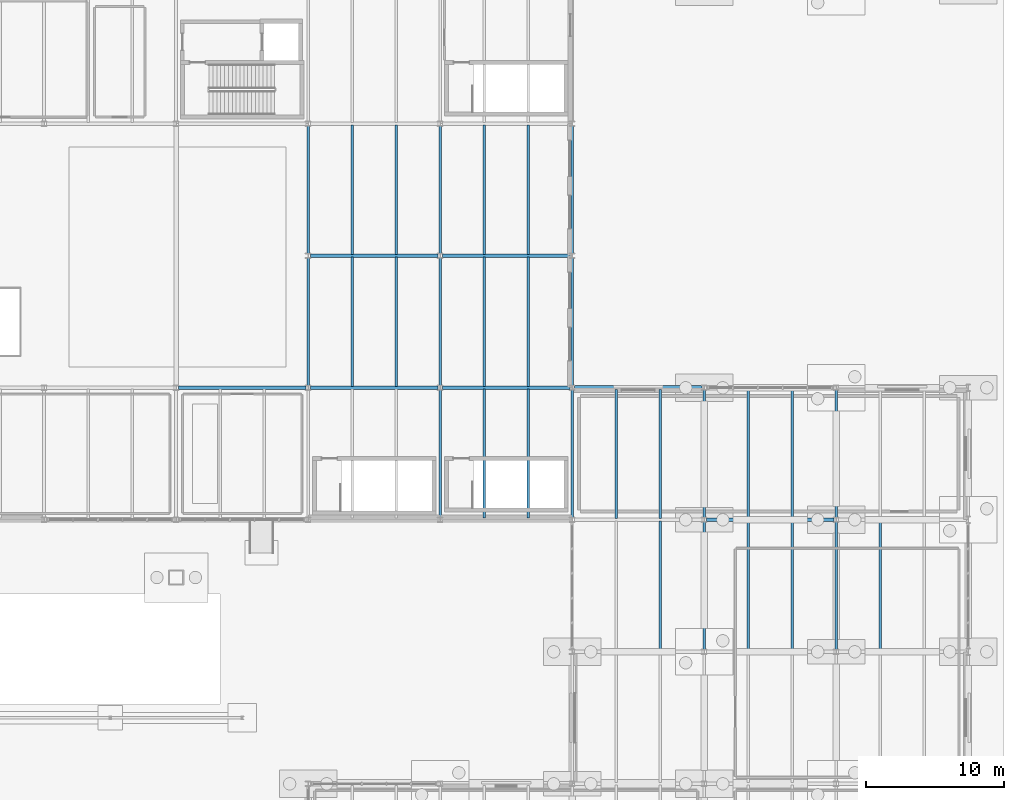
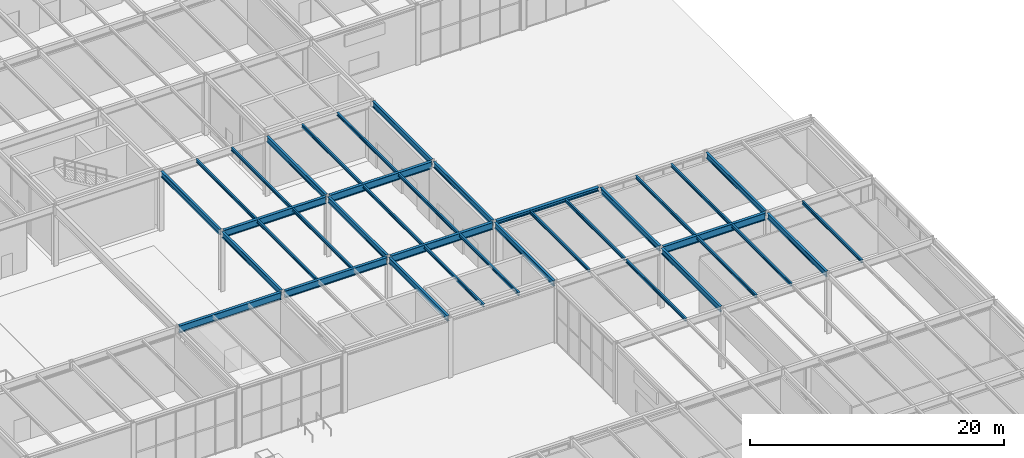
# One storey, part 90 of 142: 37 beams.
"""IFC4 building model written with IfcOpenShell, lengths in metres."""

from ifc_helpers import new_model, si_unit, direction, frame, origin, origin_2d, place, context, subcontext, project, spatial, i_section, extrude, material, material_profile, profile_set, type_object, element, save


model = new_model("IFC4")

# Units and contexts
model_context = context("Model", 3, precision=1e-05, world=origin(), true_north=direction((0.0, 1.0)))
body_context = subcontext(model_context, "Body", "Model", "MODEL_VIEW")
ifc_project = project(units=[si_unit("LENGTHUNIT", "METRE"), si_unit("AREAUNIT", "SQUARE_METRE"), si_unit("VOLUMEUNIT", "CUBIC_METRE"), si_unit("PLANEANGLEUNIT", "RADIAN"), si_unit("MASSUNIT", "GRAM", prefix="KILO")], contexts=[model_context])

# Site, building, storey
site_placement = place(None, origin())
site = spatial("IfcSite", under=ifc_project, at=site_placement, CompositionType="ELEMENT")
building_placement = place(site_placement, origin())
building = spatial("IfcBuilding", under=site, at=building_placement, Name="Coralgate Yard Interchange", CompositionType="ELEMENT")
storey_placement = place(building_placement, origin())
storey = spatial("IfcBuildingStorey", under=building, at=storey_placement, Name="L00", CompositionType="ELEMENT", Elevation=0.0)

# Beams
ifc_material = material(Name="Structural steel S355J2", Category="steel")
ifc_material_profile_1 = material_profile(ifc_material, i_section(OverallWidth=0.209228515625, OverallDepth=0.533203125, WebThickness=0.010009765625, FlangeThickness=0.015625, FilletRadius=0.0126953125, at=origin_2d()), Name="UB 533x210x92")
ifc_profile_set_1 = profile_set([ifc_material_profile_1], Name="Structural steel S355J2")
beam_type_1 = type_object("IfcBeamType", Name="BM-SB-1", PredefinedType="BEAM", material=ifc_profile_set_1)
for number, where, z_axis, x_axis, name in (
    (1, (134.39990234375, 48.166748046875, 5.4833984375), (0.0, 1.0, 0.0), (-1.0, 0.0, 0.0), "L00 primary grid girder X14 Y5-6"),
    (2, (134.39990234375, 57.766845703125, 5.4833984375), (0.0, 1.0, 0.0), (-1.0, 0.0, 0.0), "L00 primary grid girder X14 Y6-7"),
    (3, (144.0, 38.56689453125, 5.4833984375), (0.0, 1.0, 0.0), (-1.0, 0.0, 0.0), "L00 primary grid girder X15 Y4-5"),
    (4, (144.0, 48.166748046875, 5.4833984375), (0.0, 1.0, 0.0), (-1.0, 0.0, 0.0), "L00 primary grid girder X15 Y5-6"),
    (5, (144.0, 57.766845703125, 5.4833984375), (0.0, 1.0, 0.0), (-1.0, 0.0, 0.0), "L00 primary grid girder X15 Y6-7"),
    (6, (153.60009765625, 38.56689453125, 5.4833984375), (0.0, 1.0, 0.0), (-1.0, 0.0, 0.0), "L00 primary grid girder X16 Y4-5"),
    (7, (153.60009765625, 48.166748046875, 5.4833984375), (0.0, 1.0, 0.0), (-1.0, 0.0, 0.0), "L00 primary grid girder X16 Y5-6"),
    (8, (153.60009765625, 57.766845703125, 5.4833984375), (0.0, 1.0, 0.0), (-1.0, 0.0, 0.0), "L00 primary grid girder X16 Y6-7"),
    (9, (163.199951171875, 28.966796875, 5.4833984375), (0.0, 1.0, 0.0), (-1.0, 0.0, 0.0), "L00 primary grid girder X17 Y3-4"),
    (10, (163.199951171875, 38.56689453125, 5.4833984375), (0.0, 1.0, 0.0), (-1.0, 0.0, 0.0), "L00 primary grid girder X17 Y4-5"),
    (11, (172.800048828125, 28.966796875, 5.4833984375), (0.0, 1.0, 0.0), (-1.0, 0.0, 0.0), "L00 primary grid girder X18 Y3-4"),
    (12, (172.800048828125, 38.56689453125, 5.4833984375), (0.0, 1.0, 0.0), (-1.0, 0.0, 0.0), "L00 primary grid girder X18 Y4-5"),
):
    element("IfcBeam", number, at=place(storey_placement, frame(where, z_axis=z_axis, x_axis=x_axis)), inside=storey, type_object=beam_type_1, Name=name, PredefinedType="BEAM", context=body_context, shape_type="SweptSolid", body=[
        extrude(i_section(OverallWidth=0.209228515625, OverallDepth=0.533203125, WebThickness=0.010009765625, FlangeThickness=0.015625, FilletRadius=0.0126953125, at=origin_2d()), origin(), (0.0, 0.0, 1.0), 9.266357421875),
    ])
ifc_material_profile_2 = material_profile(ifc_material, i_section(OverallWidth=0.253662109375, OverallDepth=0.68359375, WebThickness=0.012451171875, FlangeThickness=0.01904296875, FilletRadius=0.01513671875, at=origin_2d()), Name="UB 686x254x140")
ifc_profile_set_2 = profile_set([ifc_material_profile_2], Name="Structural steel S355J2")
beam_type_2 = type_object("IfcBeamType", Name="BM-SG-4", PredefinedType="BEAM", material=ifc_profile_set_2)
beam_1_placement = place(storey_placement, frame((163.369384765625, 38.39990234375, 5.408203125), z_axis=(1.0, 0.0, 0.0), x_axis=(0.0, 1.0, 0.0)))
element("IfcBeam", 13, at=beam_1_placement, inside=storey, type_object=beam_type_2, Name="L00 primary grid beam Y4 X17-18", PredefinedType="BEAM", context=body_context, shape_type="SweptSolid", body=[
    extrude(i_section(OverallWidth=0.253662109375, OverallDepth=0.68359375, WebThickness=0.012451171875, FlangeThickness=0.01904296875, FilletRadius=0.01513671875, at=origin_2d()), origin(), (0.0, 0.0, 1.0), 9.26123046875),
])
for number, where, z_axis, x_axis, name in (
    (14, (124.969482421875, 48.0, 5.408203125), (1.0, 0.0, 0.0), (0.0, 1.0, 0.0), "L00 primary grid beam Y5 X13-14"),
    (15, (134.569580078125, 48.0, 5.408203125), (1.0, 0.0, 0.0), (0.0, 1.0, 0.0), "L00 primary grid beam Y5 X14-15"),
    (16, (144.16943359375, 48.0, 5.408203125), (1.0, 0.0, 0.0), (0.0, 1.0, 0.0), "L00 primary grid beam Y5 X15-16"),
    (17, (134.569580078125, 57.60009765625, 5.408203125), (1.0, 0.0, 0.0), (0.0, 1.0, 0.0), "L00 primary grid beam Y6 X14-15"),
    (18, (144.16943359375, 57.60009765625, 5.408203125), (1.0, 0.0, 0.0), (0.0, 1.0, 0.0), "L00 primary grid beam Y6 X15-16"),
):
    element("IfcBeam", number, at=place(storey_placement, frame(where, z_axis=z_axis, x_axis=x_axis)), inside=storey, type_object=beam_type_2, Name=name, PredefinedType="BEAM", context=body_context, shape_type="SweptSolid", body=[
        extrude(i_section(OverallWidth=0.253662109375, OverallDepth=0.68359375, WebThickness=0.012451171875, FlangeThickness=0.01904296875, FilletRadius=0.01513671875, at=origin_2d()), origin(), (0.0, 0.0, 1.0), 9.260986328125),
    ])
ifc_material_profile_3 = material_profile(ifc_material, i_section(OverallWidth=0.1650390625, OverallDepth=0.303466796875, WebThickness=0.006103515625, FlangeThickness=0.01025390625, FilletRadius=0.0087890625, at=origin_2d()), Name="UB 305x165x40")
ifc_profile_set_3 = profile_set([ifc_material_profile_3], Name="Structural steel S355J2")
beam_type_3 = type_object("IfcBeamType", Name="BM-SJ-1", PredefinedType="JOIST", material=ifc_profile_set_3)
for number, where, z_axis, x_axis, name in (
    (19, (137.60009765625, 48.096923828125, 5.598388671875), (0.0, 1.0, 0.0), (-1.0, 0.0, 0.0), "L00 composite floor joist 14-5-1"),
    (20, (140.800048828125, 48.096923828125, 5.598388671875), (0.0, 1.0, 0.0), (-1.0, 0.0, 0.0), "L00 composite floor joist 14-5-2"),
    (21, (137.60009765625, 57.69677734375, 5.598388671875), (0.0, 1.0, 0.0), (-1.0, 0.0, 0.0), "L00 composite floor joist 14-6-1"),
    (22, (140.800048828125, 57.69677734375, 5.598388671875), (0.0, 1.0, 0.0), (-1.0, 0.0, 0.0), "L00 composite floor joist 14-6-2"),
):
    element("IfcBeam", number, at=place(storey_placement, frame(where, z_axis=z_axis, x_axis=x_axis)), inside=storey, type_object=beam_type_3, Name=name, PredefinedType="JOIST", context=body_context, shape_type="SweptSolid", body=[
        extrude(i_section(OverallWidth=0.1650390625, OverallDepth=0.303466796875, WebThickness=0.006103515625, FlangeThickness=0.01025390625, FilletRadius=0.0087890625, at=origin_2d()), origin(), (0.0, 0.0, 1.0), 9.40625),
    ])
for number, where, z_axis, x_axis, name in (
    (23, (147.199951171875, 38.52001953125, 5.598388671875), (0.0, 1.0, 0.0), (-1.0, 0.0, 0.0), "L00 composite floor joist 15-4-1"),
    (24, (150.39990234375, 38.52001953125, 5.598388671875), (0.0, 1.0, 0.0), (-1.0, 0.0, 0.0), "L00 composite floor joist 15-4-2"),
):
    element("IfcBeam", number, at=place(storey_placement, frame(where, z_axis=z_axis, x_axis=x_axis)), inside=storey, type_object=beam_type_3, Name=name, PredefinedType="JOIST", context=body_context, shape_type="SweptSolid", body=[
        extrude(i_section(OverallWidth=0.1650390625, OverallDepth=0.303466796875, WebThickness=0.006103515625, FlangeThickness=0.01025390625, FilletRadius=0.0087890625, at=origin_2d()), origin(), (0.0, 0.0, 1.0), 9.383056640625),
    ])
for number, where, z_axis, x_axis, name in (
    (25, (147.199951171875, 48.096923828125, 5.598388671875), (0.0, 1.0, 0.0), (-1.0, 0.0, 0.0), "L00 composite floor joist 15-5-1"),
    (26, (150.39990234375, 48.096923828125, 5.598388671875), (0.0, 1.0, 0.0), (-1.0, 0.0, 0.0), "L00 composite floor joist 15-5-2"),
    (27, (147.199951171875, 57.69677734375, 5.598388671875), (0.0, 1.0, 0.0), (-1.0, 0.0, 0.0), "L00 composite floor joist 15-6-1"),
    (28, (150.39990234375, 57.69677734375, 5.598388671875), (0.0, 1.0, 0.0), (-1.0, 0.0, 0.0), "L00 composite floor joist 15-6-2"),
    (29, (160.0, 28.896728515625, 5.598388671875), (0.0, 1.0, 0.0), (-1.0, 0.0, 0.0), "L00 composite floor joist 16-3-2"),
):
    element("IfcBeam", number, at=place(storey_placement, frame(where, z_axis=z_axis, x_axis=x_axis)), inside=storey, type_object=beam_type_3, Name=name, PredefinedType="JOIST", context=body_context, shape_type="SweptSolid", body=[
        extrude(i_section(OverallWidth=0.1650390625, OverallDepth=0.303466796875, WebThickness=0.006103515625, FlangeThickness=0.01025390625, FilletRadius=0.0087890625, at=origin_2d()), origin(), (0.0, 0.0, 1.0), 9.40625),
    ])
for number, where, z_axis, x_axis, name in (
    (30, (156.800048828125, 38.496826171875, 5.598388671875), (0.0, 1.0, 0.0), (-1.0, 0.0, 0.0), "L00 composite floor joist 16-4-1"),
    (31, (160.0, 38.496826171875, 5.598388671875), (0.0, 1.0, 0.0), (-1.0, 0.0, 0.0), "L00 composite floor joist 16-4-2"),
):
    element("IfcBeam", number, at=place(storey_placement, frame(where, z_axis=z_axis, x_axis=x_axis)), inside=storey, type_object=beam_type_3, Name=name, PredefinedType="JOIST", context=body_context, shape_type="SweptSolid", body=[
        extrude(i_section(OverallWidth=0.1650390625, OverallDepth=0.303466796875, WebThickness=0.006103515625, FlangeThickness=0.01025390625, FilletRadius=0.0087890625, at=origin_2d()), origin(), (0.0, 0.0, 1.0), 9.383056640625),
    ])
for number, where, z_axis, x_axis, name in (
    (32, (166.39990234375, 28.896728515625, 5.598388671875), (0.0, 1.0, 0.0), (-1.0, 0.0, 0.0), "L00 composite floor joist 17-3-1"),
    (33, (169.60009765625, 28.896728515625, 5.598388671875), (0.0, 1.0, 0.0), (-1.0, 0.0, 0.0), "L00 composite floor joist 17-3-2"),
):
    element("IfcBeam", number, at=place(storey_placement, frame(where, z_axis=z_axis, x_axis=x_axis)), inside=storey, type_object=beam_type_3, Name=name, PredefinedType="JOIST", context=body_context, shape_type="SweptSolid", body=[
        extrude(i_section(OverallWidth=0.1650390625, OverallDepth=0.303466796875, WebThickness=0.006103515625, FlangeThickness=0.01025390625, FilletRadius=0.0087890625, at=origin_2d()), origin(), (0.0, 0.0, 1.0), 9.40625),
    ])
for number, where, z_axis, x_axis, name in (
    (34, (166.39990234375, 38.496826171875, 5.598388671875), (0.0, 1.0, 0.0), (-1.0, 0.0, 0.0), "L00 composite floor joist 17-4-1"),
    (35, (169.60009765625, 38.496826171875, 5.598388671875), (0.0, 1.0, 0.0), (-1.0, 0.0, 0.0), "L00 composite floor joist 17-4-2"),
):
    element("IfcBeam", number, at=place(storey_placement, frame(where, z_axis=z_axis, x_axis=x_axis)), inside=storey, type_object=beam_type_3, Name=name, PredefinedType="JOIST", context=body_context, shape_type="SweptSolid", body=[
        extrude(i_section(OverallWidth=0.1650390625, OverallDepth=0.303466796875, WebThickness=0.006103515625, FlangeThickness=0.01025390625, FilletRadius=0.0087890625, at=origin_2d()), origin(), (0.0, 0.0, 1.0), 9.383056640625),
    ])
beam_2_placement = place(storey_placement, frame((176.0, 28.896728515625, 5.598388671875), z_axis=(0.0, 1.0, 0.0), x_axis=(-1.0, 0.0, 0.0)))
element("IfcBeam", 36, at=beam_2_placement, inside=storey, type_object=beam_type_3, Name="L00 composite floor joist 18-3-1", PredefinedType="JOIST", context=body_context, shape_type="SweptSolid", body=[
    extrude(i_section(OverallWidth=0.1650390625, OverallDepth=0.303466796875, WebThickness=0.006103515625, FlangeThickness=0.01025390625, FilletRadius=0.0087890625, at=origin_2d()), origin(), (0.0, 0.0, 1.0), 9.40625),
])
ifc_material_profile_4 = material_profile(ifc_material, i_section(OverallWidth=0.300048828125, OverallDepth=0.35009765625, WebThickness=0.010009765625, FlangeThickness=0.017578125, FilletRadius=0.027099609375, at=origin_2d()), Name="HEA 360")
ifc_profile_set_4 = profile_set([ifc_material_profile_4], Name="Structural steel S355J2")
beam_type_4 = type_object("IfcBeamType", Name="BM-SP-1", PredefinedType="SPANDREL", material=ifc_profile_set_4)
beam_3_placement = place(storey_placement, frame((153.76953125, 48.0, 5.574951171875), z_axis=(1.0, 0.0, 0.0), x_axis=(0.0, 1.0, 0.0)))
element("IfcBeam", 37, at=beam_3_placement, inside=storey, type_object=beam_type_4, Name="L00 primary grid beam Y5 X16-17", PredefinedType="SPANDREL", context=body_context, shape_type="SweptSolid", body=[
    extrude(i_section(OverallWidth=0.300048828125, OverallDepth=0.35009765625, WebThickness=0.010009765625, FlangeThickness=0.017578125, FilletRadius=0.027099609375, at=origin_2d()), origin(), (0.0, 0.0, 1.0), 9.260986328125),
])

save(model, "model.ifc")
